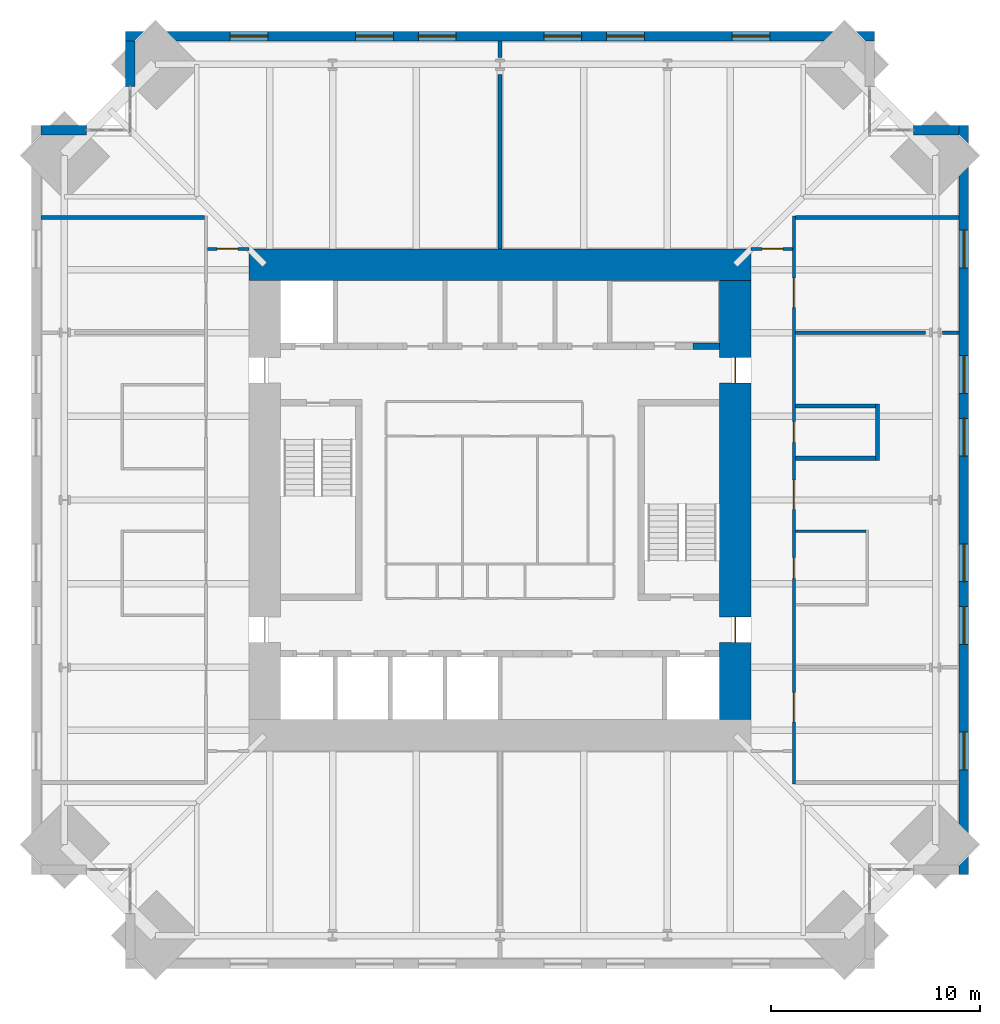
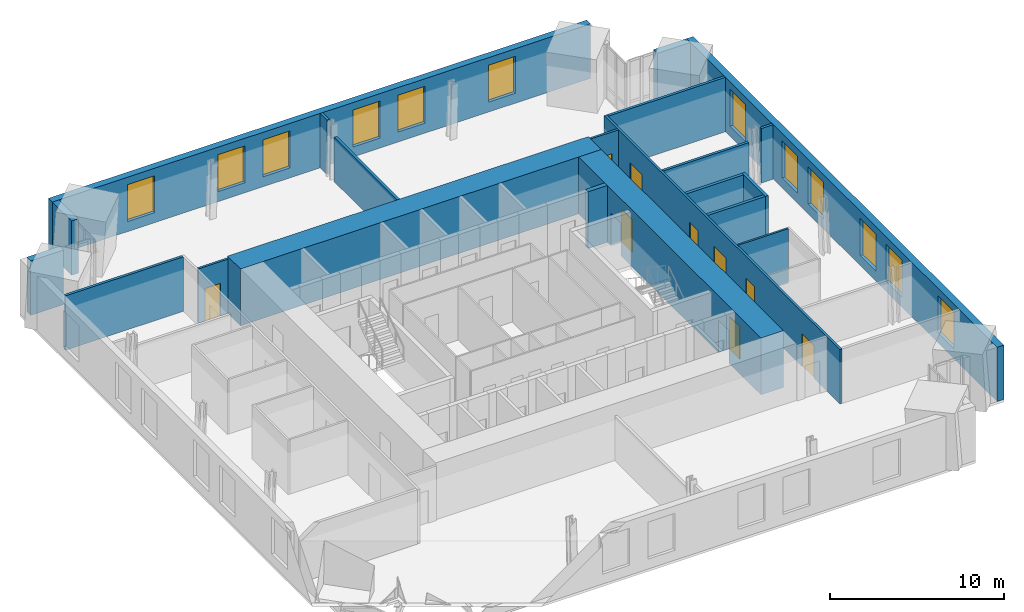
# One storey, part 16 of 18: 21 walls, 12 windows, 9 doors, 21 openings.
"""IFC4 building model written with IfcOpenShell, lengths in metres."""

from ifc_helpers import new_model, si_unit, direction, frame, frame_2d, origin, place, context, subcontext, project, spatial, rectangle, extrude, material, layer, layer_set, type_object, element, fill, save


model = new_model("IFC4")

# Units and contexts
model_context = context("Model", 3, precision=1e-05, world=origin(), true_north=direction((0.0, 1.0)))
body_context = subcontext(model_context, "Body", "Model", "MODEL_VIEW")
ifc_project = project(units=[si_unit("LENGTHUNIT", "METRE"), si_unit("AREAUNIT", "SQUARE_METRE"), si_unit("VOLUMEUNIT", "CUBIC_METRE"), si_unit("PLANEANGLEUNIT", "RADIAN"), si_unit("MASSUNIT", "GRAM", prefix="KILO")], contexts=[model_context])

# Site, building, storey
site_placement = place(None, origin())
site = spatial("IfcSite", under=ifc_project, at=site_placement, CompositionType="ELEMENT")
building_placement = place(site_placement, origin())
building = spatial("IfcBuilding", under=site, at=building_placement, Name="Peilmerk Tower", CompositionType="ELEMENT")
storey_placement = place(building_placement, frame((0.0, 0.0, 249.800048828125)))
storey = spatial("IfcBuildingStorey", under=building, at=storey_placement, Name="L55", CompositionType="ELEMENT", Elevation=249.800048828125)

# Wall, openings, windows
ifc_material_1 = material(Name="Precast concrete C45/55, board-marked finish", Category="concrete")
ifc_layer_1 = layer(ifc_material_1, 0.449951171875)
ifc_layer_set_1 = layer_set([ifc_layer_1], Name="Precast concrete C45/55, board-marked finish")
wall_type_1 = type_object("IfcWallType", Name="EW1 450 precast concrete facade wall, board-marked", PredefinedType="SOLIDWALL", material=ifc_layer_set_1)
wall_1_placement = place(storey_placement, frame((17.89990234375, 22.175048828125, 0.0), z_axis=(0.0, 0.0, 1.0), x_axis=(-1.0, 0.0, 0.0)))
wall_1 = element("IfcWall", 1, at=wall_1_placement, inside=storey, type_object=wall_type_1, Name="Facade wall N L55", PredefinedType="SOLIDWALL", context=body_context, shape_type="SweptSolid", body=[
    extrude(rectangle(XDim=35.7998046875, YDim=0.449951171875, at=frame_2d((17.89990234375, 0.0))), origin(), (0.0, 0.0, 1.0), 3.829833984375),
])
opening_1_placement = place(wall_1_placement, frame((5.0, 0.0, 0.699951171875)))
opening_1 = element("IfcOpeningElement", 2, at=opening_1_placement, cuts=wall_1, Name="Opening W1", PredefinedType="OPENING", context=body_context, shape_type="SweptSolid", body=[
    extrude(rectangle(XDim=1.800048828125, YDim=2.60009765625, at=frame_2d((0.89990234375, 1.300048828125))), frame((0.0, 0.23486328125, 0.0), z_axis=(0.0, -1.0, 0.0), x_axis=(1.0, 0.0, 0.0)), (0.0, 0.0, 1.0), 0.469970703125),
])
opening_2_placement = place(wall_1_placement, frame((11.0, 0.0, 0.699951171875)))
opening_2 = element("IfcOpeningElement", 3, at=opening_2_placement, cuts=wall_1, Name="Opening W1", PredefinedType="OPENING", context=body_context, shape_type="SweptSolid", body=[
    extrude(rectangle(XDim=1.800048828125, YDim=2.60009765625, at=frame_2d((0.89990234375, 1.300048828125))), frame((0.0, 0.23486328125, 0.0), z_axis=(0.0, -1.0, 0.0), x_axis=(1.0, 0.0, 0.0)), (0.0, 0.0, 1.0), 0.469970703125),
])
opening_3_placement = place(wall_1_placement, frame((14.0, 0.0, 0.699951171875)))
opening_3 = element("IfcOpeningElement", 4, at=opening_3_placement, cuts=wall_1, Name="Opening W1", PredefinedType="OPENING", context=body_context, shape_type="SweptSolid", body=[
    extrude(rectangle(XDim=1.800048828125, YDim=2.60009765625, at=frame_2d((0.89990234375, 1.300048828125))), frame((0.0, 0.23486328125, 0.0), z_axis=(0.0, -1.0, 0.0), x_axis=(1.0, 0.0, 0.0)), (0.0, 0.0, 1.0), 0.469970703125),
])
opening_4_placement = place(wall_1_placement, frame((20.0, 0.0, 0.699951171875)))
opening_4 = element("IfcOpeningElement", 5, at=opening_4_placement, cuts=wall_1, Name="Opening W1", PredefinedType="OPENING", context=body_context, shape_type="SweptSolid", body=[
    extrude(rectangle(XDim=1.800048828125, YDim=2.60009765625, at=frame_2d((0.89990234375, 1.300048828125))), frame((0.0, 0.23486328125, 0.0), z_axis=(0.0, -1.0, 0.0), x_axis=(1.0, 0.0, 0.0)), (0.0, 0.0, 1.0), 0.469970703125),
])
opening_5_placement = place(wall_1_placement, frame((23.0, 0.0, 0.699951171875)))
opening_5 = element("IfcOpeningElement", 6, at=opening_5_placement, cuts=wall_1, Name="Opening W1", PredefinedType="OPENING", context=body_context, shape_type="SweptSolid", body=[
    extrude(rectangle(XDim=1.800048828125, YDim=2.60009765625, at=frame_2d((0.89990234375, 1.300048828125))), frame((0.0, 0.23486328125, 0.0), z_axis=(0.0, -1.0, 0.0), x_axis=(1.0, 0.0, 0.0)), (0.0, 0.0, 1.0), 0.469970703125),
])
opening_6_placement = place(wall_1_placement, frame((29.0, 0.0, 0.699951171875)))
opening_6 = element("IfcOpeningElement", 7, at=opening_6_placement, cuts=wall_1, Name="Opening W1", PredefinedType="OPENING", context=body_context, shape_type="SweptSolid", body=[
    extrude(rectangle(XDim=1.800048828125, YDim=2.60009765625, at=frame_2d((0.89990234375, 1.300048828125))), frame((0.0, 0.23486328125, 0.0), z_axis=(0.0, -1.0, 0.0), x_axis=(1.0, 0.0, 0.0)), (0.0, 0.0, 1.0), 0.469970703125),
])
ifc_material_2 = material(Name="Aluminium frame, clear double glazing", Category="aluminium")
window_type = type_object("IfcWindowType", Name="W1 1800x2600 office window", PartitioningType="SINGLE_PANEL", PredefinedType="WINDOW", material=ifc_material_2)
window_1_placement = place(opening_1_placement, origin())
window_1 = element("IfcWindow", 8, at=window_1_placement, inside=storey, type_object=window_type, Name="Window W1 L55", OverallHeight=2.60009765625, OverallWidth=1.800048828125, PartitioningType="SINGLE_PANEL", PredefinedType="WINDOW", context=body_context, shape_type="SweptSolid", body=[
    extrude(rectangle(XDim=1.800048828125, YDim=2.60009765625, at=frame_2d((0.89990234375, 1.300048828125))), frame((0.0, 0.030029296875, 0.0), z_axis=(0.0, -1.0, 0.0), x_axis=(1.0, 0.0, 0.0)), (0.0, 0.0, 1.0), 0.06005859375),
])
fill(opening_1, window_1)
window_2_placement = place(opening_2_placement, origin())
window_2 = element("IfcWindow", 9, at=window_2_placement, inside=storey, type_object=window_type, Name="Window W1 L55", OverallHeight=2.60009765625, OverallWidth=1.800048828125, PartitioningType="SINGLE_PANEL", PredefinedType="WINDOW", context=body_context, shape_type="SweptSolid", body=[
    extrude(rectangle(XDim=1.800048828125, YDim=2.60009765625, at=frame_2d((0.89990234375, 1.300048828125))), frame((0.0, 0.030029296875, 0.0), z_axis=(0.0, -1.0, 0.0), x_axis=(1.0, 0.0, 0.0)), (0.0, 0.0, 1.0), 0.06005859375),
])
fill(opening_2, window_2)
window_3_placement = place(opening_3_placement, origin())
window_3 = element("IfcWindow", 10, at=window_3_placement, inside=storey, type_object=window_type, Name="Window W1 L55", OverallHeight=2.60009765625, OverallWidth=1.800048828125, PartitioningType="SINGLE_PANEL", PredefinedType="WINDOW", context=body_context, shape_type="SweptSolid", body=[
    extrude(rectangle(XDim=1.800048828125, YDim=2.60009765625, at=frame_2d((0.89990234375, 1.300048828125))), frame((0.0, 0.030029296875, 0.0), z_axis=(0.0, -1.0, 0.0), x_axis=(1.0, 0.0, 0.0)), (0.0, 0.0, 1.0), 0.06005859375),
])
fill(opening_3, window_3)
window_4_placement = place(opening_4_placement, origin())
window_4 = element("IfcWindow", 11, at=window_4_placement, inside=storey, type_object=window_type, Name="Window W1 L55", OverallHeight=2.60009765625, OverallWidth=1.800048828125, PartitioningType="SINGLE_PANEL", PredefinedType="WINDOW", context=body_context, shape_type="SweptSolid", body=[
    extrude(rectangle(XDim=1.800048828125, YDim=2.60009765625, at=frame_2d((0.89990234375, 1.300048828125))), frame((0.0, 0.030029296875, 0.0), z_axis=(0.0, -1.0, 0.0), x_axis=(1.0, 0.0, 0.0)), (0.0, 0.0, 1.0), 0.06005859375),
])
fill(opening_4, window_4)
window_5_placement = place(opening_5_placement, origin())
window_5 = element("IfcWindow", 12, at=window_5_placement, inside=storey, type_object=window_type, Name="Window W1 L55", OverallHeight=2.60009765625, OverallWidth=1.800048828125, PartitioningType="SINGLE_PANEL", PredefinedType="WINDOW", context=body_context, shape_type="SweptSolid", body=[
    extrude(rectangle(XDim=1.800048828125, YDim=2.60009765625, at=frame_2d((0.89990234375, 1.300048828125))), frame((0.0, 0.030029296875, 0.0), z_axis=(0.0, -1.0, 0.0), x_axis=(1.0, 0.0, 0.0)), (0.0, 0.0, 1.0), 0.06005859375),
])
fill(opening_5, window_5)
window_6_placement = place(opening_6_placement, origin())
window_6 = element("IfcWindow", 13, at=window_6_placement, inside=storey, type_object=window_type, Name="Window W1 L55", OverallHeight=2.60009765625, OverallWidth=1.800048828125, PartitioningType="SINGLE_PANEL", PredefinedType="WINDOW", context=body_context, shape_type="SweptSolid", body=[
    extrude(rectangle(XDim=1.800048828125, YDim=2.60009765625, at=frame_2d((0.89990234375, 1.300048828125))), frame((0.0, 0.030029296875, 0.0), z_axis=(0.0, -1.0, 0.0), x_axis=(1.0, 0.0, 0.0)), (0.0, 0.0, 1.0), 0.06005859375),
])
fill(opening_6, window_6)

wall_2_placement = place(storey_placement, frame((22.175048828125, -17.89990234375, 0.0), z_axis=(0.0, 0.0, 1.0), x_axis=(0.0, 1.0, 0.0)))
wall_2 = element("IfcWall", 14, at=wall_2_placement, inside=storey, type_object=wall_type_1, Name="Facade wall E L55", PredefinedType="SOLIDWALL", context=body_context, shape_type="SweptSolid", body=[
    extrude(rectangle(XDim=35.7998046875, YDim=0.449951171875, at=frame_2d((17.89990234375, 0.0))), origin(), (0.0, 0.0, 1.0), 3.829833984375),
])
opening_7_placement = place(wall_2_placement, frame((5.0, 0.0, 0.699951171875)))
opening_7 = element("IfcOpeningElement", 15, at=opening_7_placement, cuts=wall_2, Name="Opening W1", PredefinedType="OPENING", context=body_context, shape_type="SweptSolid", body=[
    extrude(rectangle(XDim=1.800048828125, YDim=2.60009765625, at=frame_2d((0.89990234375, 1.300048828125))), frame((0.0, 0.23486328125, 0.0), z_axis=(0.0, -1.0, 0.0), x_axis=(1.0, 0.0, 0.0)), (0.0, 0.0, 1.0), 0.469970703125),
])
opening_8_placement = place(wall_2_placement, frame((11.0, 0.0, 0.699951171875)))
opening_8 = element("IfcOpeningElement", 16, at=opening_8_placement, cuts=wall_2, Name="Opening W1", PredefinedType="OPENING", context=body_context, shape_type="SweptSolid", body=[
    extrude(rectangle(XDim=1.800048828125, YDim=2.60009765625, at=frame_2d((0.89990234375, 1.300048828125))), frame((0.0, 0.23486328125, 0.0), z_axis=(0.0, -1.0, 0.0), x_axis=(1.0, 0.0, 0.0)), (0.0, 0.0, 1.0), 0.469970703125),
])
opening_9_placement = place(wall_2_placement, frame((14.0, 0.0, 0.699951171875)))
opening_9 = element("IfcOpeningElement", 17, at=opening_9_placement, cuts=wall_2, Name="Opening W1", PredefinedType="OPENING", context=body_context, shape_type="SweptSolid", body=[
    extrude(rectangle(XDim=1.800048828125, YDim=2.60009765625, at=frame_2d((0.89990234375, 1.300048828125))), frame((0.0, 0.23486328125, 0.0), z_axis=(0.0, -1.0, 0.0), x_axis=(1.0, 0.0, 0.0)), (0.0, 0.0, 1.0), 0.469970703125),
])
opening_10_placement = place(wall_2_placement, frame((20.0, 0.0, 0.699951171875)))
opening_10 = element("IfcOpeningElement", 18, at=opening_10_placement, cuts=wall_2, Name="Opening W1", PredefinedType="OPENING", context=body_context, shape_type="SweptSolid", body=[
    extrude(rectangle(XDim=1.800048828125, YDim=2.60009765625, at=frame_2d((0.89990234375, 1.300048828125))), frame((0.0, 0.23486328125, 0.0), z_axis=(0.0, -1.0, 0.0), x_axis=(1.0, 0.0, 0.0)), (0.0, 0.0, 1.0), 0.469970703125),
])
opening_11_placement = place(wall_2_placement, frame((23.0, 0.0, 0.699951171875)))
opening_11 = element("IfcOpeningElement", 19, at=opening_11_placement, cuts=wall_2, Name="Opening W1", PredefinedType="OPENING", context=body_context, shape_type="SweptSolid", body=[
    extrude(rectangle(XDim=1.800048828125, YDim=2.60009765625, at=frame_2d((0.89990234375, 1.300048828125))), frame((0.0, 0.23486328125, 0.0), z_axis=(0.0, -1.0, 0.0), x_axis=(1.0, 0.0, 0.0)), (0.0, 0.0, 1.0), 0.469970703125),
])
opening_12_placement = place(wall_2_placement, frame((29.0, 0.0, 0.699951171875)))
opening_12 = element("IfcOpeningElement", 20, at=opening_12_placement, cuts=wall_2, Name="Opening W1", PredefinedType="OPENING", context=body_context, shape_type="SweptSolid", body=[
    extrude(rectangle(XDim=1.800048828125, YDim=2.60009765625, at=frame_2d((0.89990234375, 1.300048828125))), frame((0.0, 0.23486328125, 0.0), z_axis=(0.0, -1.0, 0.0), x_axis=(1.0, 0.0, 0.0)), (0.0, 0.0, 1.0), 0.469970703125),
])
window_7_placement = place(opening_7_placement, origin())
window_7 = element("IfcWindow", 21, at=window_7_placement, inside=storey, type_object=window_type, Name="Window W1 L55", OverallHeight=2.60009765625, OverallWidth=1.800048828125, PartitioningType="SINGLE_PANEL", PredefinedType="WINDOW", context=body_context, shape_type="SweptSolid", body=[
    extrude(rectangle(XDim=1.800048828125, YDim=2.60009765625, at=frame_2d((0.89990234375, 1.300048828125))), frame((0.0, 0.030029296875, 0.0), z_axis=(0.0, -1.0, 0.0), x_axis=(1.0, 0.0, 0.0)), (0.0, 0.0, 1.0), 0.06005859375),
])
fill(opening_7, window_7)
window_8_placement = place(opening_8_placement, origin())
window_8 = element("IfcWindow", 22, at=window_8_placement, inside=storey, type_object=window_type, Name="Window W1 L55", OverallHeight=2.60009765625, OverallWidth=1.800048828125, PartitioningType="SINGLE_PANEL", PredefinedType="WINDOW", context=body_context, shape_type="SweptSolid", body=[
    extrude(rectangle(XDim=1.800048828125, YDim=2.60009765625, at=frame_2d((0.89990234375, 1.300048828125))), frame((0.0, 0.030029296875, 0.0), z_axis=(0.0, -1.0, 0.0), x_axis=(1.0, 0.0, 0.0)), (0.0, 0.0, 1.0), 0.06005859375),
])
fill(opening_8, window_8)
window_9_placement = place(opening_9_placement, origin())
window_9 = element("IfcWindow", 23, at=window_9_placement, inside=storey, type_object=window_type, Name="Window W1 L55", OverallHeight=2.60009765625, OverallWidth=1.800048828125, PartitioningType="SINGLE_PANEL", PredefinedType="WINDOW", context=body_context, shape_type="SweptSolid", body=[
    extrude(rectangle(XDim=1.800048828125, YDim=2.60009765625, at=frame_2d((0.89990234375, 1.300048828125))), frame((0.0, 0.030029296875, 0.0), z_axis=(0.0, -1.0, 0.0), x_axis=(1.0, 0.0, 0.0)), (0.0, 0.0, 1.0), 0.06005859375),
])
fill(opening_9, window_9)
window_10_placement = place(opening_10_placement, origin())
window_10 = element("IfcWindow", 24, at=window_10_placement, inside=storey, type_object=window_type, Name="Window W1 L55", OverallHeight=2.60009765625, OverallWidth=1.800048828125, PartitioningType="SINGLE_PANEL", PredefinedType="WINDOW", context=body_context, shape_type="SweptSolid", body=[
    extrude(rectangle(XDim=1.800048828125, YDim=2.60009765625, at=frame_2d((0.89990234375, 1.300048828125))), frame((0.0, 0.030029296875, 0.0), z_axis=(0.0, -1.0, 0.0), x_axis=(1.0, 0.0, 0.0)), (0.0, 0.0, 1.0), 0.06005859375),
])
fill(opening_10, window_10)
window_11_placement = place(opening_11_placement, origin())
window_11 = element("IfcWindow", 25, at=window_11_placement, inside=storey, type_object=window_type, Name="Window W1 L55", OverallHeight=2.60009765625, OverallWidth=1.800048828125, PartitioningType="SINGLE_PANEL", PredefinedType="WINDOW", context=body_context, shape_type="SweptSolid", body=[
    extrude(rectangle(XDim=1.800048828125, YDim=2.60009765625, at=frame_2d((0.89990234375, 1.300048828125))), frame((0.0, 0.030029296875, 0.0), z_axis=(0.0, -1.0, 0.0), x_axis=(1.0, 0.0, 0.0)), (0.0, 0.0, 1.0), 0.06005859375),
])
fill(opening_11, window_11)
window_12_placement = place(opening_12_placement, origin())
window_12 = element("IfcWindow", 26, at=window_12_placement, inside=storey, type_object=window_type, Name="Window W1 L55", OverallHeight=2.60009765625, OverallWidth=1.800048828125, PartitioningType="SINGLE_PANEL", PredefinedType="WINDOW", context=body_context, shape_type="SweptSolid", body=[
    extrude(rectangle(XDim=1.800048828125, YDim=2.60009765625, at=frame_2d((0.89990234375, 1.300048828125))), frame((0.0, 0.030029296875, 0.0), z_axis=(0.0, -1.0, 0.0), x_axis=(1.0, 0.0, 0.0)), (0.0, 0.0, 1.0), 0.06005859375),
])
fill(opening_12, window_12)

# Walls
for number, where, z_axis, x_axis, name in (
    (27, (19.753662109375, 17.675048828125, 0.0), (0.0, 0.0, 1.0), (1.0, 0.0, 0.0), "Facade wall NEB L55"),
    (28, (-17.675048828125, 19.753662109375, 0.0), (0.0, 0.0, 1.0), (0.0, 1.0, 0.0), "Facade wall NWA L55"),
    (29, (-19.753662109375, 17.675048828125, 0.0), (0.0, 0.0, 1.0), (-1.0, 0.0, 0.0), "Facade wall NWB L55"),
):
    element("IfcWall", number, at=place(storey_placement, frame(where, z_axis=z_axis, x_axis=x_axis)), inside=storey, type_object=wall_type_1, Name=name, PredefinedType="SOLIDWALL", context=body_context, shape_type="SweptSolid", body=[
        extrude(rectangle(XDim=2.1962890625, YDim=0.449951171875, at=frame_2d((1.09814453125, 0.0))), origin(), (0.0, 0.0, 1.0), 3.829833984375),
    ])

# Wall, openings, doors
ifc_material_3 = material(Name="Calcium silicate block", Category="masonry")
ifc_layer_2 = layer(ifc_material_3, 0.14990234375)
ifc_layer_set_2 = layer_set([ifc_layer_2], Name="Calcium silicate block")
wall_type_2 = type_object("IfcWallType", Name="IW1 150 corridor partition, EI 60", PredefinedType="PARTITIONING", material=ifc_layer_set_2)
wall_3_placement = place(storey_placement, frame((14.050048828125, -13.574951171875, 0.0), z_axis=(0.0, 0.0, 1.0), x_axis=(0.0, 1.0, 0.0)))
wall_3 = element("IfcWall", 30, at=wall_3_placement, inside=storey, type_object=wall_type_2, Name="Corridor wall E L55", PredefinedType="PARTITIONING", context=body_context, shape_type="SweptSolid", body=[
    extrude(rectangle(XDim=27.14990234375, YDim=0.14990234375, at=frame_2d((13.574951171875, 0.0))), origin(), (0.0, 0.0, 1.0), 3.829833984375),
])
opening_13_placement = place(wall_3_placement, frame((2.97509765625, 0.0, 0.0)))
opening_13 = element("IfcOpeningElement", 31, at=opening_13_placement, cuts=wall_3, Name="Opening D8", PredefinedType="OPENING", context=body_context, shape_type="SweptSolid", body=[
    extrude(rectangle(XDim=1.39990234375, YDim=2.300048828125, at=frame_2d((0.699951171875, 1.14990234375))), frame((0.0, 0.0849609375, 0.0), z_axis=(0.0, -1.0, 0.0), x_axis=(1.0, 0.0, 0.0)), (0.0, 0.0, 1.0), 0.169921875),
])
opening_14_placement = place(wall_3_placement, frame((13.125, 0.0, 0.0)))
opening_14 = element("IfcOpeningElement", 32, at=opening_14_placement, cuts=wall_3, Name="Opening D8", PredefinedType="OPENING", context=body_context, shape_type="SweptSolid", body=[
    extrude(rectangle(XDim=1.39990234375, YDim=2.300048828125, at=frame_2d((0.699951171875, 1.14990234375))), frame((0.0, 0.0849609375, 0.0), z_axis=(0.0, -1.0, 0.0), x_axis=(1.0, 0.0, 0.0)), (0.0, 0.0, 1.0), 0.169921875),
])
opening_15_placement = place(wall_3_placement, frame((22.77490234375, 0.0, 0.0)))
opening_15 = element("IfcOpeningElement", 33, at=opening_15_placement, cuts=wall_3, Name="Opening D8", PredefinedType="OPENING", context=body_context, shape_type="SweptSolid", body=[
    extrude(rectangle(XDim=1.39990234375, YDim=2.300048828125, at=frame_2d((0.699951171875, 1.14990234375))), frame((0.0, 0.0849609375, 0.0), z_axis=(0.0, -1.0, 0.0), x_axis=(1.0, 0.0, 0.0)), (0.0, 0.0, 1.0), 0.169921875),
])
opening_16_placement = place(wall_3_placement, frame((9.824951171875, 0.0, 0.0)))
opening_16 = element("IfcOpeningElement", 34, at=opening_16_placement, cuts=wall_3, Name="Opening D1", PredefinedType="OPENING", context=body_context, shape_type="SweptSolid", body=[
    extrude(rectangle(XDim=1.0, YDim=2.300048828125, at=frame_2d((0.5, 1.14990234375))), frame((0.0, 0.0849609375, 0.0), z_axis=(0.0, -1.0, 0.0), x_axis=(1.0, 0.0, 0.0)), (0.0, 0.0, 1.0), 0.169921875),
])
opening_17_placement = place(wall_3_placement, frame((16.324951171875, 0.0, 0.0)))
opening_17 = element("IfcOpeningElement", 35, at=opening_17_placement, cuts=wall_3, Name="Opening D1", PredefinedType="OPENING", context=body_context, shape_type="SweptSolid", body=[
    extrude(rectangle(XDim=1.0, YDim=2.300048828125, at=frame_2d((0.5, 1.14990234375))), frame((0.0, 0.0849609375, 0.0), z_axis=(0.0, -1.0, 0.0), x_axis=(1.0, 0.0, 0.0)), (0.0, 0.0, 1.0), 0.169921875),
])
ifc_material_4 = material(Name="Timber door in steel frame", Category="steel")
door_type_1 = type_object("IfcDoorType", Name="D1 1000x2300 room door, EI2 30", OperationType="SINGLE_SWING_LEFT", PredefinedType="DOOR", material=ifc_material_4)
door_1_placement = place(opening_16_placement, frame((1.0, 0.0, 0.0), z_axis=(0.0, 0.0, 1.0), x_axis=(-1.0, 0.0, 0.0)))
door_1 = element("IfcDoor", 36, at=door_1_placement, inside=storey, type_object=door_type_1, Name="Door Pantry L55", OperationType="SINGLE_SWING_LEFT", OverallHeight=2.300048828125, OverallWidth=1.0, PredefinedType="DOOR", context=body_context, shape_type="SweptSolid", body=[
    extrude(rectangle(XDim=1.0, YDim=2.300048828125, at=frame_2d((0.5, 1.14990234375))), frame((0.0, 0.02490234375, 0.0), z_axis=(0.0, -1.0, 0.0), x_axis=(1.0, 0.0, 0.0)), (0.0, 0.0, 1.0), 0.050048828125),
])
fill(opening_16, door_1)
door_2_placement = place(opening_17_placement, frame((1.0, 0.0, 0.0), z_axis=(0.0, 0.0, 1.0), x_axis=(-1.0, 0.0, 0.0)))
door_2 = element("IfcDoor", 37, at=door_2_placement, inside=storey, type_object=door_type_1, Name="Door Print room L55", OperationType="SINGLE_SWING_LEFT", OverallHeight=2.300048828125, OverallWidth=1.0, PredefinedType="DOOR", context=body_context, shape_type="SweptSolid", body=[
    extrude(rectangle(XDim=1.0, YDim=2.300048828125, at=frame_2d((0.5, 1.14990234375))), frame((0.0, 0.02490234375, 0.0), z_axis=(0.0, -1.0, 0.0), x_axis=(1.0, 0.0, 0.0)), (0.0, 0.0, 1.0), 0.050048828125),
])
fill(opening_17, door_2)
door_type_2 = type_object("IfcDoorType", Name="D8 1400x2300 leaf-and-a-half door, EI2 30", OperationType="DOUBLE_DOOR_SINGLE_SWING", PredefinedType="DOOR", material=ifc_material_4)
door_3_placement = place(opening_13_placement, frame((1.39990234375, 0.0, 0.0), z_axis=(0.0, 0.0, 1.0), x_axis=(-1.0, 0.0, 0.0)))
door_3 = element("IfcDoor", 38, at=door_3_placement, inside=storey, type_object=door_type_2, Name="Door Tenant suite L55", OperationType="DOUBLE_DOOR_SINGLE_SWING", OverallHeight=2.300048828125, OverallWidth=1.39990234375, PredefinedType="DOOR", context=body_context, shape_type="SweptSolid", body=[
    extrude(rectangle(XDim=1.39990234375, YDim=2.300048828125, at=frame_2d((0.699951171875, 1.14990234375))), frame((0.0, 0.02490234375, 0.0), z_axis=(0.0, -1.0, 0.0), x_axis=(1.0, 0.0, 0.0)), (0.0, 0.0, 1.0), 0.050048828125),
])
fill(opening_13, door_3)
door_4_placement = place(opening_14_placement, frame((1.39990234375, 0.0, 0.0), z_axis=(0.0, 0.0, 1.0), x_axis=(-1.0, 0.0, 0.0)))
door_4 = element("IfcDoor", 39, at=door_4_placement, inside=storey, type_object=door_type_2, Name="Door Tenant suite L55", OperationType="DOUBLE_DOOR_SINGLE_SWING", OverallHeight=2.300048828125, OverallWidth=1.39990234375, PredefinedType="DOOR", context=body_context, shape_type="SweptSolid", body=[
    extrude(rectangle(XDim=1.39990234375, YDim=2.300048828125, at=frame_2d((0.699951171875, 1.14990234375))), frame((0.0, 0.02490234375, 0.0), z_axis=(0.0, -1.0, 0.0), x_axis=(1.0, 0.0, 0.0)), (0.0, 0.0, 1.0), 0.050048828125),
])
fill(opening_14, door_4)
door_5_placement = place(opening_15_placement, frame((1.39990234375, 0.0, 0.0), z_axis=(0.0, 0.0, 1.0), x_axis=(-1.0, 0.0, 0.0)))
door_5 = element("IfcDoor", 40, at=door_5_placement, inside=storey, type_object=door_type_2, Name="Door Tenant suite L55", OperationType="DOUBLE_DOOR_SINGLE_SWING", OverallHeight=2.300048828125, OverallWidth=1.39990234375, PredefinedType="DOOR", context=body_context, shape_type="SweptSolid", body=[
    extrude(rectangle(XDim=1.39990234375, YDim=2.300048828125, at=frame_2d((0.699951171875, 1.14990234375))), frame((0.0, 0.02490234375, 0.0), z_axis=(0.0, -1.0, 0.0), x_axis=(1.0, 0.0, 0.0)), (0.0, 0.0, 1.0), 0.050048828125),
])
fill(opening_15, door_5)

# Wall, opening, door
wall_4_placement = place(storey_placement, frame((12.0, 12.0, 0.0), z_axis=(0.0, 0.0, 1.0), x_axis=(1.0, 0.0, 0.0)))
wall_4 = element("IfcWall", 41, at=wall_4_placement, inside=storey, type_object=wall_type_2, Name="Corridor wall NE L55", PredefinedType="PARTITIONING", context=body_context, shape_type="SweptSolid", body=[
    extrude(rectangle(XDim=1.97509765625, YDim=0.14990234375, at=frame_2d((0.987548828125, 0.0))), origin(), (0.0, 0.0, 1.0), 3.829833984375),
])
opening_18_placement = place(wall_4_placement, frame((0.52490234375, 0.0, 0.0)))
opening_18 = element("IfcOpeningElement", 42, at=opening_18_placement, cuts=wall_4, Name="Opening D1", PredefinedType="OPENING", context=body_context, shape_type="SweptSolid", body=[
    extrude(rectangle(XDim=1.0, YDim=2.300048828125, at=frame_2d((0.5, 1.14990234375))), frame((0.0, 0.0849609375, 0.0), z_axis=(0.0, -1.0, 0.0), x_axis=(1.0, 0.0, 0.0)), (0.0, 0.0, 1.0), 0.169921875),
])
door_6_placement = place(opening_18_placement, origin())
door_6 = element("IfcDoor", 43, at=door_6_placement, inside=storey, type_object=door_type_1, Name="Door Tenant suite L55", OperationType="SINGLE_SWING_LEFT", OverallHeight=2.300048828125, OverallWidth=1.0, PredefinedType="DOOR", context=body_context, shape_type="SweptSolid", body=[
    extrude(rectangle(XDim=1.0, YDim=2.300048828125, at=frame_2d((0.5, 1.14990234375))), frame((0.0, 0.02490234375, 0.0), z_axis=(0.0, -1.0, 0.0), x_axis=(1.0, 0.0, 0.0)), (0.0, 0.0, 1.0), 0.050048828125),
])
fill(opening_18, door_6)

wall_5_placement = place(storey_placement, frame((-13.97509765625, 12.0, 0.0), z_axis=(0.0, 0.0, 1.0), x_axis=(1.0, 0.0, 0.0)))
wall_5 = element("IfcWall", 44, at=wall_5_placement, inside=storey, type_object=wall_type_2, Name="Corridor wall NW L55", PredefinedType="PARTITIONING", context=body_context, shape_type="SweptSolid", body=[
    extrude(rectangle(XDim=1.97509765625, YDim=0.14990234375, at=frame_2d((0.987548828125, 0.0))), origin(), (0.0, 0.0, 1.0), 3.829833984375),
])
opening_19_placement = place(wall_5_placement, frame((0.449951171875, 0.0, 0.0)))
opening_19 = element("IfcOpeningElement", 45, at=opening_19_placement, cuts=wall_5, Name="Opening D1", PredefinedType="OPENING", context=body_context, shape_type="SweptSolid", body=[
    extrude(rectangle(XDim=1.0, YDim=2.300048828125, at=frame_2d((0.5, 1.14990234375))), frame((0.0, 0.0849609375, 0.0), z_axis=(0.0, -1.0, 0.0), x_axis=(1.0, 0.0, 0.0)), (0.0, 0.0, 1.0), 0.169921875),
])
door_7_placement = place(opening_19_placement, origin())
door_7 = element("IfcDoor", 46, at=door_7_placement, inside=storey, type_object=door_type_1, Name="Door Tenant suite L55", OperationType="SINGLE_SWING_LEFT", OverallHeight=2.300048828125, OverallWidth=1.0, PredefinedType="DOOR", context=body_context, shape_type="SweptSolid", body=[
    extrude(rectangle(XDim=1.0, YDim=2.300048828125, at=frame_2d((0.5, 1.14990234375))), frame((0.0, 0.02490234375, 0.0), z_axis=(0.0, -1.0, 0.0), x_axis=(1.0, 0.0, 0.0)), (0.0, 0.0, 1.0), 0.050048828125),
])
fill(opening_19, door_7)

# Walls
ifc_layer_3 = layer(ifc_material_3, 0.199951171875)
ifc_layer_set_3 = layer_set([ifc_layer_3], Name="Calcium silicate block")
wall_type_3 = type_object("IfcWallType", Name="IW2 200 room separating wall, EI 120", PredefinedType="PARTITIONING", material=ifc_layer_set_3)
wall_6_placement = place(storey_placement, frame((18.050048828125, 1.89990234375, 0.0), z_axis=(0.0, 0.0, 1.0), x_axis=(0.0, 1.0, 0.0)))
element("IfcWall", 47, at=wall_6_placement, inside=storey, type_object=wall_type_3, Name="Room separating wall Print room L55", PredefinedType="PARTITIONING", context=body_context, shape_type="SweptSolid", body=[
    extrude(rectangle(XDim=2.7001953125, YDim=0.199951171875, at=frame_2d((1.35009765625, 0.0))), origin(), (0.0, 0.0, 1.0), 3.829833984375),
])
for number, where, z_axis, x_axis, name in (
    (48, (14.125, 2.0, 0.0), (0.0, 0.0, 1.0), (1.0, 0.0, 0.0), "Room separating wall Print room L55"),
    (49, (14.125, 4.5, 0.0), (0.0, 0.0, 1.0), (1.0, 0.0, 0.0), "Room separating wall Print room L55"),
):
    element("IfcWall", number, at=place(storey_placement, frame(where, z_axis=z_axis, x_axis=x_axis)), inside=storey, type_object=wall_type_3, Name=name, PredefinedType="PARTITIONING", context=body_context, shape_type="SweptSolid", body=[
        extrude(rectangle(XDim=3.824951171875, YDim=0.199951171875, at=frame_2d((1.91259765625, 0.0))), origin(), (0.0, 0.0, 1.0), 3.829833984375),
    ])
ifc_material_5 = material(Name="Plasterboard on steel studs, double boarded with mineral wool", Category="steel")
ifc_layer_4 = layer(ifc_material_5, 0.125)
ifc_layer_set_4 = layer_set([ifc_layer_4], Name="Plasterboard on steel studs, double boarded with mineral wool")
wall_type_4 = type_object("IfcWallType", Name="IW7 125 acoustic partition, EI 30", PredefinedType="PARTITIONING", material=ifc_layer_set_4)
wall_7_placement = place(storey_placement, frame((14.125, -1.5, 0.0), z_axis=(0.0, 0.0, 1.0), x_axis=(1.0, 0.0, 0.0)))
element("IfcWall", 50, at=wall_7_placement, inside=storey, type_object=wall_type_4, Name="Acoustic partition Pantry L55", PredefinedType="PARTITIONING", context=body_context, shape_type="SweptSolid", body=[
    extrude(rectangle(XDim=3.362548828125, YDim=0.125, at=frame_2d((1.68115234375, 0.0))), origin(), (0.0, 0.0, 1.0), 3.829833984375),
])
ifc_layer_5 = layer(ifc_material_3, 0.175048828125)
ifc_layer_set_5 = layer_set([ifc_layer_5], Name="Calcium silicate block")
wall_type_5 = type_object("IfcWallType", Name="IW8 175 tenant separating wall, EI 60", PredefinedType="PARTITIONING", material=ifc_layer_set_5)
for number, where, z_axis, x_axis, name in (
    (51, (14.125, 13.5, 0.0), (0.0, 0.0, 1.0), (1.0, 0.0, 0.0), "Tenant separating wall NE L55"),
    (52, (-21.949951171875, 13.5, 0.0), (0.0, 0.0, 1.0), (1.0, 0.0, 0.0), "Tenant separating wall NW L55"),
):
    element("IfcWall", number, at=place(storey_placement, frame(where, z_axis=z_axis, x_axis=x_axis)), inside=storey, type_object=wall_type_5, Name=name, PredefinedType="PARTITIONING", context=body_context, shape_type="SweptSolid", body=[
        extrude(rectangle(XDim=7.824951171875, YDim=0.175048828125, at=frame_2d((3.91259765625, 0.0))), origin(), (0.0, 0.0, 1.0), 3.829833984375),
    ])
wall_8_placement = place(storey_placement, frame((0.0, 12.0, 0.0), z_axis=(0.0, 0.0, 1.0), x_axis=(0.0, 1.0, 0.0)))
element("IfcWall", 53, at=wall_8_placement, inside=storey, type_object=wall_type_5, Name="Tenant separating wall N1 L55", PredefinedType="PARTITIONING", context=body_context, shape_type="SweptSolid", body=[
    extrude(rectangle(XDim=8.333251953125, YDim=0.175048828125, at=frame_2d((4.16650390625, 0.0))), origin(), (0.0, 0.0, 1.0), 3.139892578125),
])
wall_9_placement = place(storey_placement, frame((0.0, 21.15380859375, 0.0), z_axis=(0.0, 0.0, 1.0), x_axis=(0.0, 1.0, 0.0)))
element("IfcWall", 54, at=wall_9_placement, inside=storey, type_object=wall_type_5, Name="Tenant separating wall N1b L55", PredefinedType="PARTITIONING", context=body_context, shape_type="SweptSolid", body=[
    extrude(rectangle(XDim=0.796142578125, YDim=0.175048828125, at=frame_2d((0.39794921875, 0.0))), origin(), (0.0, 0.0, 1.0), 3.829833984375),
])
wall_10_placement = place(storey_placement, frame((14.125, 8.0, 0.0), z_axis=(0.0, 0.0, 1.0), x_axis=(1.0, 0.0, 0.0)))
element("IfcWall", 55, at=wall_10_placement, inside=storey, type_object=wall_type_5, Name="Tenant separating wall E2 L55", PredefinedType="PARTITIONING", context=body_context, shape_type="SweptSolid", body=[
    extrude(rectangle(XDim=6.208251953125, YDim=0.175048828125, at=frame_2d((3.10400390625, 0.0))), origin(), (0.0, 0.0, 1.0), 3.139892578125),
])
wall_11_placement = place(storey_placement, frame((21.15380859375, 8.0, 0.0), z_axis=(0.0, 0.0, 1.0), x_axis=(1.0, 0.0, 0.0)))
element("IfcWall", 56, at=wall_11_placement, inside=storey, type_object=wall_type_5, Name="Tenant separating wall E2b L55", PredefinedType="PARTITIONING", context=body_context, shape_type="SweptSolid", body=[
    extrude(rectangle(XDim=0.796142578125, YDim=0.175048828125, at=frame_2d((0.39794921875, 0.0))), origin(), (0.0, 0.0, 1.0), 3.829833984375),
])
ifc_material_6 = material(Name="Concrete C55/67", Category="concrete")
ifc_layer_6 = layer(ifc_material_6, 1.5)
ifc_layer_set_6 = layer_set([ifc_layer_6], Name="Concrete C55/67")
wall_type_6 = type_object("IfcWallType", Name="SW1 1500 core wall", PredefinedType="SHEAR", material=ifc_layer_set_6)
wall_12_placement = place(storey_placement, frame((-12.0, 11.25, 0.0), z_axis=(0.0, 0.0, 1.0), x_axis=(1.0, 0.0, 0.0)))
element("IfcWall", 57, at=wall_12_placement, inside=storey, type_object=wall_type_6, Name="Core wall N L55", PredefinedType="SHEAR", context=body_context, shape_type="SweptSolid", body=[
    extrude(rectangle(XDim=24.0, YDim=1.5, at=frame_2d((12.0, 0.0))), origin(), (0.0, 0.0, 1.0), 4.0),
])

# Wall, openings, doors
wall_13_placement = place(storey_placement, frame((11.25, 10.5, 0.0), z_axis=(0.0, 0.0, 1.0), x_axis=(0.0, -1.0, 0.0)))
wall_13 = element("IfcWall", 58, at=wall_13_placement, inside=storey, type_object=wall_type_6, Name="Core wall E L55", PredefinedType="SHEAR", context=body_context, shape_type="SweptSolid", body=[
    extrude(rectangle(XDim=21.0, YDim=1.5, at=frame_2d((10.5, 0.0))), origin(), (0.0, 0.0, 1.0), 4.0),
])
opening_20_placement = place(wall_13_placement, frame((3.699951171875, 0.0, 0.0)))
opening_20 = element("IfcOpeningElement", 59, at=opening_20_placement, cuts=wall_13, Name="Opening D3", PredefinedType="OPENING", context=body_context, shape_type="SweptSolid", body=[
    extrude(rectangle(XDim=1.199951171875, YDim=2.300048828125, at=frame_2d((0.60009765625, 1.14990234375))), frame((0.0, 0.760009765625, 0.0), z_axis=(0.0, -1.0, 0.0), x_axis=(1.0, 0.0, 0.0)), (0.0, 0.0, 1.0), 1.52001953125),
])
opening_21_placement = place(wall_13_placement, frame((16.10009765625, 0.0, 0.0)))
opening_21 = element("IfcOpeningElement", 60, at=opening_21_placement, cuts=wall_13, Name="Opening D3", PredefinedType="OPENING", context=body_context, shape_type="SweptSolid", body=[
    extrude(rectangle(XDim=1.199951171875, YDim=2.300048828125, at=frame_2d((0.60009765625, 1.14990234375))), frame((0.0, 0.760009765625, 0.0), z_axis=(0.0, -1.0, 0.0), x_axis=(1.0, 0.0, 0.0)), (0.0, 0.0, 1.0), 1.52001953125),
])
ifc_material_7 = material(Name="Steel door in steel frame", Category="steel")
door_type_3 = type_object("IfcDoorType", Name="D3 1200x2300 core door, EI2 60", OperationType="SINGLE_SWING_LEFT", PredefinedType="DOOR", material=ifc_material_7)
door_8_placement = place(opening_20_placement, frame((1.199951171875, 0.0, 0.0), z_axis=(0.0, 0.0, 1.0), x_axis=(-1.0, 0.0, 0.0)))
door_8 = element("IfcDoor", 61, at=door_8_placement, inside=storey, type_object=door_type_3, Name="Core door L55", OperationType="SINGLE_SWING_LEFT", OverallHeight=2.300048828125, OverallWidth=1.199951171875, PredefinedType="DOOR", context=body_context, shape_type="SweptSolid", body=[
    extrude(rectangle(XDim=1.199951171875, YDim=2.300048828125, at=frame_2d((0.60009765625, 1.14990234375))), frame((0.0, 0.02490234375, 0.0), z_axis=(0.0, -1.0, 0.0), x_axis=(1.0, 0.0, 0.0)), (0.0, 0.0, 1.0), 0.050048828125),
])
fill(opening_20, door_8)
door_9_placement = place(opening_21_placement, frame((1.199951171875, 0.0, 0.0), z_axis=(0.0, 0.0, 1.0), x_axis=(-1.0, 0.0, 0.0)))
door_9 = element("IfcDoor", 62, at=door_9_placement, inside=storey, type_object=door_type_3, Name="Core door L55", OperationType="SINGLE_SWING_LEFT", OverallHeight=2.300048828125, OverallWidth=1.199951171875, PredefinedType="DOOR", context=body_context, shape_type="SweptSolid", body=[
    extrude(rectangle(XDim=1.199951171875, YDim=2.300048828125, at=frame_2d((0.60009765625, 1.14990234375))), frame((0.0, 0.02490234375, 0.0), z_axis=(0.0, -1.0, 0.0), x_axis=(1.0, 0.0, 0.0)), (0.0, 0.0, 1.0), 0.050048828125),
])
fill(opening_21, door_9)

# Wall
ifc_layer_7 = layer(ifc_material_6, 0.300048828125)
ifc_layer_set_7 = layer_set([ifc_layer_7], Name="Concrete C55/67")
wall_type_7 = type_object("IfcWallType", Name="SW2 300 lift bank pier", PredefinedType="SHEAR", material=ifc_layer_set_7)
wall_14_placement = place(storey_placement, frame((9.22509765625, 7.35009765625, 0.0), z_axis=(0.0, 0.0, 1.0), x_axis=(1.0, 0.0, 0.0)))
element("IfcWall", 63, at=wall_14_placement, inside=storey, type_object=wall_type_7, Name="Lift bank pier N L55", PredefinedType="SHEAR", context=body_context, shape_type="SweptSolid", body=[
    extrude(rectangle(XDim=1.27490234375, YDim=0.300048828125, at=frame_2d((0.637451171875, 0.0))), origin(), (0.0, 0.0, 1.0), 4.0),
])

save(model, "model.ifc")
